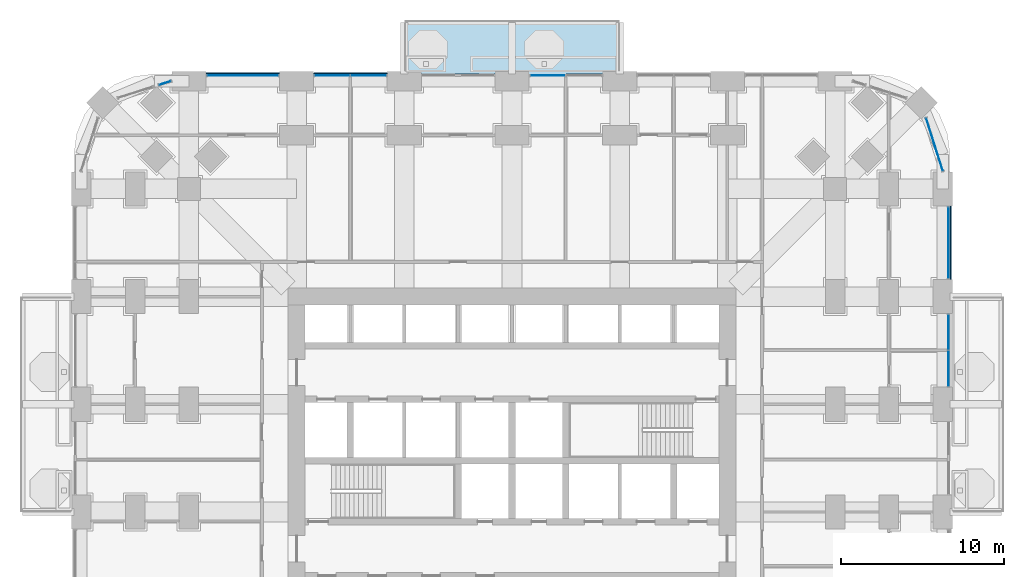
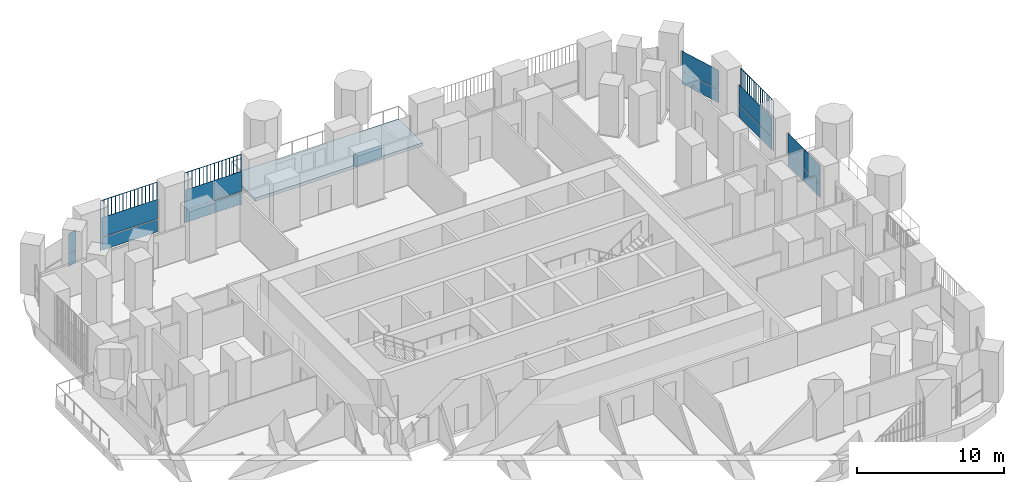
# One storey, part 15 of 26: 20 plates, 1 slab, 7 elements without a shape of their own.
"""IFC4 building model written with IfcOpenShell, lengths in metres."""

from ifc_helpers import new_model, si_unit, direction, frame, origin, origin_2d, place, context, subcontext, project, spatial, polyline, rectangle, outline, extrude, material, layer, layer_set, type_object, element, aggregate, save


model = new_model("IFC4")

# Units and contexts
model_context = context("Model", 3, precision=1e-05, world=origin(), true_north=direction((0.0, 1.0)))
body_context = subcontext(model_context, "Body", "Model", "MODEL_VIEW")
ifc_project = project(units=[si_unit("LENGTHUNIT", "METRE"), si_unit("AREAUNIT", "SQUARE_METRE"), si_unit("VOLUMEUNIT", "CUBIC_METRE"), si_unit("PLANEANGLEUNIT", "RADIAN"), si_unit("MASSUNIT", "GRAM", prefix="KILO")], contexts=[model_context])

# Site, building, storey
site_placement = place(None, origin())
site = spatial("IfcSite", under=ifc_project, at=site_placement, CompositionType="ELEMENT")
building_placement = place(site_placement, origin())
building = spatial("IfcBuilding", under=site, at=building_placement, Name="Cobogo Forest Laboratory Tower", CompositionType="ELEMENT")
storey_placement = place(building_placement, frame((0.0, 0.0, 50.699951171875)))
storey = spatial("IfcBuildingStorey", under=building, at=storey_placement, Name="L11", CompositionType="ELEMENT", Elevation=50.699951171875)

# Slab
ifc_material_1 = material(Name="Concrete HA-40 (C40/50)", Category="concrete")
ifc_layer_1 = layer(ifc_material_1, 0.25)
ifc_layer_set_1 = layer_set([ifc_layer_1], Name="Balcony slab 250")
slab_type = type_object("IfcSlabType", Name="Balcony slab 250", PredefinedType="FLOOR", material=ifc_layer_set_1)
slab_placement = place(storey_placement, frame((0.0, 0.0, -0.25)))
element("IfcSlab", 1, at=slab_placement, inside=storey, type_object=slab_type, Name="Balcony BAL-N1 L11", PredefinedType="FLOOR", context=body_context, shape_type="SweptSolid", body=[
    extrude(outline(polyline([(19.800048828125, 46.64990234375), (33.0, 46.64990234375), (33.0, 49.949951171875), (19.800048828125, 49.949951171875), (19.800048828125, 46.64990234375)])), origin(), (0.0, 0.0, 1.0), 0.25),
])

# Curtain wall, plates
ifc_material_2 = material(Name="Aluminium curtain wall", Category="aluminium")
curtain_wall_type = type_object("IfcCurtainWallType", Name="CW-1 unitised curtain wall, clear glazing, laboratory floors zones A and B", PredefinedType="USERDEFINED", material=ifc_material_2)
curtain_wall_1_placement = place(storey_placement, origin())
curtain_wall_1 = element("IfcCurtainWall", 2, at=curtain_wall_1_placement, inside=storey, type_object=curtain_wall_type, Name="Curtain wall 13 L11", ObjectType="UNITISED CURTAIN WALL", PredefinedType="USERDEFINED")
ifc_material_3 = material(Name="Clear insulated glass", Category="glass")
ifc_layer_2 = layer(ifc_material_3, 0.028076171875)
ifc_layer_set_2 = layer_set([ifc_layer_2], Name="GP-1 clear insulated glass unit 28")
plate_type_1 = type_object("IfcPlateType", Name="GP-1 clear insulated glass unit 28", PredefinedType="CURTAIN_PANEL", material=ifc_layer_set_2)
plate_1_placement = place(storey_placement, frame((53.14990234375, 28.590087890625, 0.0), z_axis=(0.0, 0.0, 1.0), x_axis=(0.0, 1.0, 0.0)))
plate_1 = element("IfcPlate", 3, at=plate_1_placement, type_object=plate_type_1, Name="CW-1 panel 1.1", PredefinedType="CURTAIN_PANEL", context=body_context, shape_type="SweptSolid", body=[
    extrude(rectangle(XDim=2.159912109375, YDim=0.028076171875, at=origin_2d()), origin(), (0.0, 0.0, 1.0), 1.02001953125),
])
plate_2_placement = place(storey_placement, frame((53.14990234375, 28.590087890625, 1.080078125), z_axis=(0.0, 0.0, 1.0), x_axis=(0.0, 1.0, 0.0)))
plate_2 = element("IfcPlate", 4, at=plate_2_placement, type_object=plate_type_1, Name="CW-1 panel 1.2", PredefinedType="CURTAIN_PANEL", context=body_context, shape_type="SweptSolid", body=[
    extrude(rectangle(XDim=2.159912109375, YDim=0.028076171875, at=origin_2d()), origin(), (0.0, 0.0, 1.0), 1.6201171875),
])
plate_3_placement = place(storey_placement, frame((53.14990234375, 30.81005859375, 0.0), z_axis=(0.0, 0.0, 1.0), x_axis=(0.0, 1.0, 0.0)))
plate_3 = element("IfcPlate", 5, at=plate_3_placement, type_object=plate_type_1, Name="CW-1 panel 2.1", PredefinedType="CURTAIN_PANEL", context=body_context, shape_type="SweptSolid", body=[
    extrude(rectangle(XDim=2.159912109375, YDim=0.028076171875, at=origin_2d()), origin(), (0.0, 0.0, 1.0), 1.02001953125),
])
plate_4_placement = place(storey_placement, frame((53.14990234375, 30.81005859375, 1.080078125), z_axis=(0.0, 0.0, 1.0), x_axis=(0.0, 1.0, 0.0)))
plate_4 = element("IfcPlate", 6, at=plate_4_placement, type_object=plate_type_1, Name="CW-1 panel 2.2", PredefinedType="CURTAIN_PANEL", context=body_context, shape_type="SweptSolid", body=[
    extrude(rectangle(XDim=2.159912109375, YDim=0.028076171875, at=origin_2d()), origin(), (0.0, 0.0, 1.0), 1.6201171875),
])
aggregate(curtain_wall_1, [plate_1, plate_2, plate_3, plate_4])

curtain_wall_2_placement = place(storey_placement, origin())
curtain_wall_2 = element("IfcCurtainWall", 7, at=curtain_wall_2_placement, inside=storey, type_object=curtain_wall_type, Name="Curtain wall 14 L11", ObjectType="UNITISED CURTAIN WALL", PredefinedType="USERDEFINED")
plate_5_placement = place(storey_placement, frame((53.14990234375, 36.300048828125, 0.0), z_axis=(0.0, 0.0, 1.0), x_axis=(0.0, 1.0, 0.0)))
plate_5 = element("IfcPlate", 8, at=plate_5_placement, type_object=plate_type_1, Name="CW-1 panel 1.1", PredefinedType="CURTAIN_PANEL", context=body_context, shape_type="SweptSolid", body=[
    extrude(rectangle(XDim=4.3798828125, YDim=0.028076171875, at=origin_2d()), origin(), (0.0, 0.0, 1.0), 1.02001953125),
])
plate_6_placement = place(storey_placement, frame((53.14990234375, 36.300048828125, 1.080078125), z_axis=(0.0, 0.0, 1.0), x_axis=(0.0, 1.0, 0.0)))
plate_6 = element("IfcPlate", 9, at=plate_6_placement, type_object=plate_type_1, Name="CW-1 panel 1.2", PredefinedType="CURTAIN_PANEL", context=body_context, shape_type="SweptSolid", body=[
    extrude(rectangle(XDim=4.3798828125, YDim=0.028076171875, at=origin_2d()), origin(), (0.0, 0.0, 1.0), 1.6201171875),
])
aggregate(curtain_wall_2, [plate_5, plate_6])

curtain_wall_3_placement = place(storey_placement, origin())
curtain_wall_3 = element("IfcCurtainWall", 10, at=curtain_wall_3_placement, inside=storey, type_object=curtain_wall_type, Name="Curtain wall 15 L11", ObjectType="UNITISED CURTAIN WALL", PredefinedType="USERDEFINED")
plate_7_placement = place(storey_placement, frame((52.291015625, 42.320068359375, 0.0), z_axis=(0.0, 0.0, 1.0), x_axis=(-0.30113535792, 0.95358140513, 0.0)))
plate_7 = element("IfcPlate", 11, at=plate_7_placement, type_object=plate_type_1, Name="CW-1 panel 1.1", PredefinedType="CURTAIN_PANEL", context=body_context, shape_type="SweptSolid", body=[
    extrude(rectangle(XDim=3.382568359375, YDim=0.028076171875, at=origin_2d()), origin(), (0.0, 0.0, 1.0), 1.02001953125),
])
plate_8_placement = place(storey_placement, frame((52.291015625, 42.320068359375, 1.080078125), z_axis=(0.0, 0.0, 1.0), x_axis=(-0.30113535792, 0.95358140513, 0.0)))
plate_8 = element("IfcPlate", 12, at=plate_8_placement, type_object=plate_type_1, Name="CW-1 panel 1.2", PredefinedType="CURTAIN_PANEL", context=body_context, shape_type="SweptSolid", body=[
    extrude(rectangle(XDim=3.382568359375, YDim=0.028076171875, at=origin_2d()), origin(), (0.0, 0.0, 1.0), 1.6201171875),
])
aggregate(curtain_wall_3, [plate_7, plate_8])

# Curtain wall, plate
curtain_wall_4_placement = place(storey_placement, origin())
curtain_wall_4 = element("IfcCurtainWall", 13, at=curtain_wall_4_placement, inside=storey, type_object=curtain_wall_type, Name="Curtain wall 20 L11", ObjectType="UNITISED CURTAIN WALL", PredefinedType="USERDEFINED")
plate_9_placement = place(storey_placement, frame((28.590087890625, 46.550048828125, 0.0), z_axis=(0.0, 0.0, 1.0), x_axis=(-1.0, 0.0, 0.0)))
plate_9 = element("IfcPlate", 14, at=plate_9_placement, type_object=plate_type_1, Name="CW-1 panel 2.1", PredefinedType="CURTAIN_PANEL", context=body_context, shape_type="SweptSolid", body=[
    extrude(rectangle(XDim=2.159912109375, YDim=0.028076171875, at=origin_2d()), origin(), (0.0, 0.0, 1.0), 1.02001953125),
])
aggregate(curtain_wall_4, [plate_9])

# Curtain wall, plates
curtain_wall_5_placement = place(storey_placement, origin())
curtain_wall_5 = element("IfcCurtainWall", 15, at=curtain_wall_5_placement, inside=storey, type_object=curtain_wall_type, Name="Curtain wall 22 L11", ObjectType="UNITISED CURTAIN WALL", PredefinedType="USERDEFINED")
plate_10_placement = place(storey_placement, frame((17.610107421875, 46.550048828125, 0.0), z_axis=(0.0, 0.0, 1.0), x_axis=(-1.0, 0.0, 0.0)))
plate_10 = element("IfcPlate", 16, at=plate_10_placement, type_object=plate_type_1, Name="CW-1 panel 1.1", PredefinedType="CURTAIN_PANEL", context=body_context, shape_type="SweptSolid", body=[
    extrude(rectangle(XDim=2.159912109375, YDim=0.028076171875, at=origin_2d()), origin(), (0.0, 0.0, 1.0), 1.02001953125),
])
plate_11_placement = place(storey_placement, frame((17.610107421875, 46.550048828125, 1.080078125), z_axis=(0.0, 0.0, 1.0), x_axis=(-1.0, 0.0, 0.0)))
plate_11 = element("IfcPlate", 17, at=plate_11_placement, type_object=plate_type_1, Name="CW-1 panel 1.2", PredefinedType="CURTAIN_PANEL", context=body_context, shape_type="SweptSolid", body=[
    extrude(rectangle(XDim=2.159912109375, YDim=0.028076171875, at=origin_2d()), origin(), (0.0, 0.0, 1.0), 1.6201171875),
])
plate_12_placement = place(storey_placement, frame((15.389892578125, 46.550048828125, 0.0), z_axis=(0.0, 0.0, 1.0), x_axis=(-1.0, 0.0, 0.0)))
plate_12 = element("IfcPlate", 18, at=plate_12_placement, type_object=plate_type_1, Name="CW-1 panel 2.1", PredefinedType="CURTAIN_PANEL", context=body_context, shape_type="SweptSolid", body=[
    extrude(rectangle(XDim=2.159912109375, YDim=0.028076171875, at=origin_2d()), origin(), (0.0, 0.0, 1.0), 1.02001953125),
])
plate_13_placement = place(storey_placement, frame((15.389892578125, 46.550048828125, 1.080078125), z_axis=(0.0, 0.0, 1.0), x_axis=(-1.0, 0.0, 0.0)))
plate_13 = element("IfcPlate", 19, at=plate_13_placement, type_object=plate_type_1, Name="CW-1 panel 2.2", PredefinedType="CURTAIN_PANEL", context=body_context, shape_type="SweptSolid", body=[
    extrude(rectangle(XDim=2.159912109375, YDim=0.028076171875, at=origin_2d()), origin(), (0.0, 0.0, 1.0), 1.6201171875),
])
aggregate(curtain_wall_5, [plate_10, plate_11, plate_12, plate_13])

curtain_wall_6_placement = place(storey_placement, origin())
curtain_wall_6 = element("IfcCurtainWall", 20, at=curtain_wall_6_placement, inside=storey, type_object=curtain_wall_type, Name="Curtain wall 23 L11", ObjectType="UNITISED CURTAIN WALL", PredefinedType="USERDEFINED")
plate_14_placement = place(storey_placement, frame((9.89990234375, 46.550048828125, 0.0), z_axis=(0.0, 0.0, 1.0), x_axis=(-1.0, 0.0, 0.0)))
plate_14 = element("IfcPlate", 21, at=plate_14_placement, type_object=plate_type_1, Name="CW-1 panel 1.1", PredefinedType="CURTAIN_PANEL", context=body_context, shape_type="SweptSolid", body=[
    extrude(rectangle(XDim=4.3798828125, YDim=0.028076171875, at=origin_2d()), origin(), (0.0, 0.0, 1.0), 1.02001953125),
])
plate_15_placement = place(storey_placement, frame((9.89990234375, 46.550048828125, 1.080078125), z_axis=(0.0, 0.0, 1.0), x_axis=(-1.0, 0.0, 0.0)))
plate_15 = element("IfcPlate", 22, at=plate_15_placement, type_object=plate_type_1, Name="CW-1 panel 1.2", PredefinedType="CURTAIN_PANEL", context=body_context, shape_type="SweptSolid", body=[
    extrude(rectangle(XDim=4.3798828125, YDim=0.028076171875, at=origin_2d()), origin(), (0.0, 0.0, 1.0), 1.6201171875),
])
aggregate(curtain_wall_6, [plate_14, plate_15])

curtain_wall_7_placement = place(storey_placement, origin())
curtain_wall_7 = element("IfcCurtainWall", 23, at=curtain_wall_7_placement, inside=storey, type_object=curtain_wall_type, Name="Curtain wall 24 L11", ObjectType="UNITISED CURTAIN WALL", PredefinedType="USERDEFINED")
plate_16_placement = place(storey_placement, frame((5.134033203125, 46.087158203125, 0.0), z_axis=(0.0, 0.0, 1.0), x_axis=(-0.953581504428, -0.301135043481, 0.0)))
plate_16 = element("IfcPlate", 24, at=plate_16_placement, type_object=plate_type_1, Name="CW-1 panel 1.1", PredefinedType="CURTAIN_PANEL", context=body_context, shape_type="SweptSolid", body=[
    extrude(rectangle(XDim=0.75244140625, YDim=0.028076171875, at=origin_2d()), origin(), (0.0, 0.0, 1.0), 1.02001953125),
])
plate_17_placement = place(storey_placement, frame((5.134033203125, 46.087158203125, 1.080078125), z_axis=(0.0, 0.0, 1.0), x_axis=(-0.953581504428, -0.301135043481, 0.0)))
plate_17 = element("IfcPlate", 25, at=plate_17_placement, type_object=plate_type_1, Name="CW-1 panel 1.2", PredefinedType="CURTAIN_PANEL", context=body_context, shape_type="SweptSolid", body=[
    extrude(rectangle(XDim=0.75244140625, YDim=0.028076171875, at=origin_2d()), origin(), (0.0, 0.0, 1.0), 1.6201171875),
])
aggregate(curtain_wall_7, [plate_16, plate_17])

# Plates
ifc_material_4 = material(Name="Terracotta", Category="masonry")
plate_type_2 = type_object("IfcPlateType", Name="TB1 terracotta baguette screen", PredefinedType="USERDEFINED", material=ifc_material_4)
plate_18_placement = place(storey_placement, frame((53.27783203125, 34.081298828125, -0.14990234375)))
element("IfcPlate", 26, at=plate_18_placement, inside=storey, type_object=plate_type_2, Name="Baguette screen E5 L11", ObjectType="BAGUETTE SCREEN", PredefinedType="USERDEFINED", context=body_context, shape_type="SweptSolid", body=[
    extrude(outline(polyline([(0.02880859375, 0.011962890625), (0.011962890625, 0.02880859375), (-0.011962890625, 0.02880859375), (-0.02880859375, 0.011962890625), (-0.02880859375, -0.011962890625), (-0.011962890625, -0.02880859375), (0.011962890625, -0.02880859375), (0.02880859375, -0.011962890625), (0.02880859375, 0.011962890625)])), frame((0.0, 0.0, 4.168701171875), z_axis=(0.0, 1.0, 0.0), x_axis=(-1.0, 0.0, 0.0)), (0.0, 0.0, 1.0), 4.4375),
    extrude(outline(polyline([(0.02880859375, 0.011962890625), (0.011962890625, 0.02880859375), (-0.011962890625, 0.02880859375), (-0.02880859375, 0.011962890625), (-0.02880859375, -0.011962890625), (-0.011962890625, -0.02880859375), (0.011962890625, -0.02880859375), (0.02880859375, -0.011962890625), (0.02880859375, 0.011962890625)])), origin(), (0.0, 0.0, 1.0), 4.137451171875),
    extrude(outline(polyline([(0.02880859375, 0.011962890625), (0.011962890625, 0.02880859375), (-0.011962890625, 0.02880859375), (-0.02880859375, 0.011962890625), (-0.02880859375, -0.011962890625), (-0.011962890625, -0.02880859375), (0.011962890625, -0.02880859375), (0.02880859375, -0.011962890625), (0.02880859375, 0.011962890625)])), frame((0.0, 0.2958984375, 0.0)), (0.0, 0.0, 1.0), 4.137451171875),
    extrude(outline(polyline([(0.02880859375, 0.011962890625), (0.011962890625, 0.02880859375), (-0.011962890625, 0.02880859375), (-0.02880859375, 0.011962890625), (-0.02880859375, -0.011962890625), (-0.011962890625, -0.02880859375), (0.011962890625, -0.02880859375), (0.02880859375, -0.011962890625), (0.02880859375, 0.011962890625)])), frame((0.0, 0.591552734375, 0.0)), (0.0, 0.0, 1.0), 4.137451171875),
    extrude(outline(polyline([(0.02880859375, 0.011962890625), (0.011962890625, 0.02880859375), (-0.011962890625, 0.02880859375), (-0.02880859375, 0.011962890625), (-0.02880859375, -0.011962890625), (-0.011962890625, -0.02880859375), (0.011962890625, -0.02880859375), (0.02880859375, -0.011962890625), (0.02880859375, 0.011962890625)])), frame((0.0, 0.887451171875, 0.0)), (0.0, 0.0, 1.0), 4.137451171875),
    extrude(outline(polyline([(0.02880859375, 0.011962890625), (0.011962890625, 0.02880859375), (-0.011962890625, 0.02880859375), (-0.02880859375, 0.011962890625), (-0.02880859375, -0.011962890625), (-0.011962890625, -0.02880859375), (0.011962890625, -0.02880859375), (0.02880859375, -0.011962890625), (0.02880859375, 0.011962890625)])), frame((0.0, 1.183349609375, 0.0)), (0.0, 0.0, 1.0), 4.137451171875),
    extrude(outline(polyline([(0.02880859375, 0.011962890625), (0.011962890625, 0.02880859375), (-0.011962890625, 0.02880859375), (-0.02880859375, 0.011962890625), (-0.02880859375, -0.011962890625), (-0.011962890625, -0.02880859375), (0.011962890625, -0.02880859375), (0.02880859375, -0.011962890625), (0.02880859375, 0.011962890625)])), frame((0.0, 1.479248046875, 0.0)), (0.0, 0.0, 1.0), 4.137451171875),
    extrude(outline(polyline([(0.02880859375, 0.011962890625), (0.011962890625, 0.02880859375), (-0.011962890625, 0.02880859375), (-0.02880859375, 0.011962890625), (-0.02880859375, -0.011962890625), (-0.011962890625, -0.02880859375), (0.011962890625, -0.02880859375), (0.02880859375, -0.011962890625), (0.02880859375, 0.011962890625)])), frame((0.0, 1.77490234375, 0.0)), (0.0, 0.0, 1.0), 4.137451171875),
    extrude(outline(polyline([(0.02880859375, 0.011962890625), (0.011962890625, 0.02880859375), (-0.011962890625, 0.02880859375), (-0.02880859375, 0.011962890625), (-0.02880859375, -0.011962890625), (-0.011962890625, -0.02880859375), (0.011962890625, -0.02880859375), (0.02880859375, -0.011962890625), (0.02880859375, 0.011962890625)])), frame((0.0, 2.07080078125, 0.0)), (0.0, 0.0, 1.0), 4.137451171875),
    extrude(outline(polyline([(0.02880859375, 0.011962890625), (0.011962890625, 0.02880859375), (-0.011962890625, 0.02880859375), (-0.02880859375, 0.011962890625), (-0.02880859375, -0.011962890625), (-0.011962890625, -0.02880859375), (0.011962890625, -0.02880859375), (0.02880859375, -0.011962890625), (0.02880859375, 0.011962890625)])), frame((0.0, 2.36669921875, 0.0)), (0.0, 0.0, 1.0), 4.137451171875),
    extrude(outline(polyline([(0.02880859375, 0.011962890625), (0.011962890625, 0.02880859375), (-0.011962890625, 0.02880859375), (-0.02880859375, 0.011962890625), (-0.02880859375, -0.011962890625), (-0.011962890625, -0.02880859375), (0.011962890625, -0.02880859375), (0.02880859375, -0.011962890625), (0.02880859375, 0.011962890625)])), frame((0.0, 2.66259765625, 0.0)), (0.0, 0.0, 1.0), 4.137451171875),
    extrude(outline(polyline([(0.02880859375, 0.011962890625), (0.011962890625, 0.02880859375), (-0.011962890625, 0.02880859375), (-0.02880859375, 0.011962890625), (-0.02880859375, -0.011962890625), (-0.011962890625, -0.02880859375), (0.011962890625, -0.02880859375), (0.02880859375, -0.011962890625), (0.02880859375, 0.011962890625)])), frame((0.0, 2.958251953125, 0.0)), (0.0, 0.0, 1.0), 4.137451171875),
    extrude(outline(polyline([(0.02880859375, 0.011962890625), (0.011962890625, 0.02880859375), (-0.011962890625, 0.02880859375), (-0.02880859375, 0.011962890625), (-0.02880859375, -0.011962890625), (-0.011962890625, -0.02880859375), (0.011962890625, -0.02880859375), (0.02880859375, -0.011962890625), (0.02880859375, 0.011962890625)])), frame((0.0, 3.254150390625, 0.0)), (0.0, 0.0, 1.0), 4.137451171875),
    extrude(outline(polyline([(0.02880859375, 0.011962890625), (0.011962890625, 0.02880859375), (-0.011962890625, 0.02880859375), (-0.02880859375, 0.011962890625), (-0.02880859375, -0.011962890625), (-0.011962890625, -0.02880859375), (0.011962890625, -0.02880859375), (0.02880859375, -0.011962890625), (0.02880859375, 0.011962890625)])), frame((0.0, 3.550048828125, 0.0)), (0.0, 0.0, 1.0), 4.137451171875),
    extrude(outline(polyline([(0.02880859375, 0.011962890625), (0.011962890625, 0.02880859375), (-0.011962890625, 0.02880859375), (-0.02880859375, 0.011962890625), (-0.02880859375, -0.011962890625), (-0.011962890625, -0.02880859375), (0.011962890625, -0.02880859375), (0.02880859375, -0.011962890625), (0.02880859375, 0.011962890625)])), frame((0.0, 3.845947265625, 0.0)), (0.0, 0.0, 1.0), 4.137451171875),
    extrude(outline(polyline([(0.02880859375, 0.011962890625), (0.011962890625, 0.02880859375), (-0.011962890625, 0.02880859375), (-0.02880859375, 0.011962890625), (-0.02880859375, -0.011962890625), (-0.011962890625, -0.02880859375), (0.011962890625, -0.02880859375), (0.02880859375, -0.011962890625), (0.02880859375, 0.011962890625)])), frame((0.0, 4.1416015625, 0.0)), (0.0, 0.0, 1.0), 4.137451171875),
    extrude(outline(polyline([(0.02880859375, 0.011962890625), (0.011962890625, 0.02880859375), (-0.011962890625, 0.02880859375), (-0.02880859375, 0.011962890625), (-0.02880859375, -0.011962890625), (-0.011962890625, -0.02880859375), (0.011962890625, -0.02880859375), (0.02880859375, -0.011962890625), (0.02880859375, 0.011962890625)])), frame((0.0, 4.4375, 0.0)), (0.0, 0.0, 1.0), 4.137451171875),
])
plate_19_placement = place(storey_placement, frame((7.68115234375, 46.677978515625, -0.14990234375)))
element("IfcPlate", 27, at=plate_19_placement, inside=storey, type_object=plate_type_2, Name="Baguette screen N1 L11", ObjectType="BAGUETTE SCREEN", PredefinedType="USERDEFINED", context=body_context, shape_type="SweptSolid", body=[
    extrude(outline(polyline([(0.02880859375, 0.011962890625), (0.011962890625, 0.02880859375), (-0.011962890625, 0.02880859375), (-0.02880859375, 0.011962890625), (-0.02880859375, -0.011962890625), (-0.011962890625, -0.02880859375), (0.011962890625, -0.02880859375), (0.02880859375, -0.011962890625), (0.02880859375, 0.011962890625)])), frame((0.0, 0.0, 4.168701171875), z_axis=(1.0, 0.0, 0.0), x_axis=(0.0, 1.0, 0.0)), (0.0, 0.0, 1.0), 4.4375),
    extrude(outline(polyline([(0.02880859375, 0.011962890625), (0.011962890625, 0.02880859375), (-0.011962890625, 0.02880859375), (-0.02880859375, 0.011962890625), (-0.02880859375, -0.011962890625), (-0.011962890625, -0.02880859375), (0.011962890625, -0.02880859375), (0.02880859375, -0.011962890625), (0.02880859375, 0.011962890625)])), origin(), (0.0, 0.0, 1.0), 4.137451171875),
    extrude(outline(polyline([(0.02880859375, 0.011962890625), (0.011962890625, 0.02880859375), (-0.011962890625, 0.02880859375), (-0.02880859375, 0.011962890625), (-0.02880859375, -0.011962890625), (-0.011962890625, -0.02880859375), (0.011962890625, -0.02880859375), (0.02880859375, -0.011962890625), (0.02880859375, 0.011962890625)])), frame((0.2958984375, 0.0, 0.0)), (0.0, 0.0, 1.0), 4.137451171875),
    extrude(outline(polyline([(0.02880859375, 0.011962890625), (0.011962890625, 0.02880859375), (-0.011962890625, 0.02880859375), (-0.02880859375, 0.011962890625), (-0.02880859375, -0.011962890625), (-0.011962890625, -0.02880859375), (0.011962890625, -0.02880859375), (0.02880859375, -0.011962890625), (0.02880859375, 0.011962890625)])), frame((0.591552734375, 0.0, 0.0)), (0.0, 0.0, 1.0), 4.137451171875),
    extrude(outline(polyline([(0.02880859375, 0.011962890625), (0.011962890625, 0.02880859375), (-0.011962890625, 0.02880859375), (-0.02880859375, 0.011962890625), (-0.02880859375, -0.011962890625), (-0.011962890625, -0.02880859375), (0.011962890625, -0.02880859375), (0.02880859375, -0.011962890625), (0.02880859375, 0.011962890625)])), frame((0.887451171875, 0.0, 0.0)), (0.0, 0.0, 1.0), 4.137451171875),
    extrude(outline(polyline([(0.02880859375, 0.011962890625), (0.011962890625, 0.02880859375), (-0.011962890625, 0.02880859375), (-0.02880859375, 0.011962890625), (-0.02880859375, -0.011962890625), (-0.011962890625, -0.02880859375), (0.011962890625, -0.02880859375), (0.02880859375, -0.011962890625), (0.02880859375, 0.011962890625)])), frame((1.183349609375, 0.0, 0.0)), (0.0, 0.0, 1.0), 4.137451171875),
    extrude(outline(polyline([(0.02880859375, 0.011962890625), (0.011962890625, 0.02880859375), (-0.011962890625, 0.02880859375), (-0.02880859375, 0.011962890625), (-0.02880859375, -0.011962890625), (-0.011962890625, -0.02880859375), (0.011962890625, -0.02880859375), (0.02880859375, -0.011962890625), (0.02880859375, 0.011962890625)])), frame((1.479248046875, 0.0, 0.0)), (0.0, 0.0, 1.0), 4.137451171875),
    extrude(outline(polyline([(0.02880859375, 0.011962890625), (0.011962890625, 0.02880859375), (-0.011962890625, 0.02880859375), (-0.02880859375, 0.011962890625), (-0.02880859375, -0.011962890625), (-0.011962890625, -0.02880859375), (0.011962890625, -0.02880859375), (0.02880859375, -0.011962890625), (0.02880859375, 0.011962890625)])), frame((1.77490234375, 0.0, 0.0)), (0.0, 0.0, 1.0), 4.137451171875),
    extrude(outline(polyline([(0.02880859375, 0.011962890625), (0.011962890625, 0.02880859375), (-0.011962890625, 0.02880859375), (-0.02880859375, 0.011962890625), (-0.02880859375, -0.011962890625), (-0.011962890625, -0.02880859375), (0.011962890625, -0.02880859375), (0.02880859375, -0.011962890625), (0.02880859375, 0.011962890625)])), frame((2.07080078125, 0.0, 0.0)), (0.0, 0.0, 1.0), 4.137451171875),
    extrude(outline(polyline([(0.02880859375, 0.011962890625), (0.011962890625, 0.02880859375), (-0.011962890625, 0.02880859375), (-0.02880859375, 0.011962890625), (-0.02880859375, -0.011962890625), (-0.011962890625, -0.02880859375), (0.011962890625, -0.02880859375), (0.02880859375, -0.011962890625), (0.02880859375, 0.011962890625)])), frame((2.36669921875, 0.0, 0.0)), (0.0, 0.0, 1.0), 4.137451171875),
    extrude(outline(polyline([(0.02880859375, 0.011962890625), (0.011962890625, 0.02880859375), (-0.011962890625, 0.02880859375), (-0.02880859375, 0.011962890625), (-0.02880859375, -0.011962890625), (-0.011962890625, -0.02880859375), (0.011962890625, -0.02880859375), (0.02880859375, -0.011962890625), (0.02880859375, 0.011962890625)])), frame((2.66259765625, 0.0, 0.0)), (0.0, 0.0, 1.0), 4.137451171875),
    extrude(outline(polyline([(0.02880859375, 0.011962890625), (0.011962890625, 0.02880859375), (-0.011962890625, 0.02880859375), (-0.02880859375, 0.011962890625), (-0.02880859375, -0.011962890625), (-0.011962890625, -0.02880859375), (0.011962890625, -0.02880859375), (0.02880859375, -0.011962890625), (0.02880859375, 0.011962890625)])), frame((2.958251953125, 0.0, 0.0)), (0.0, 0.0, 1.0), 4.137451171875),
    extrude(outline(polyline([(0.02880859375, 0.011962890625), (0.011962890625, 0.02880859375), (-0.011962890625, 0.02880859375), (-0.02880859375, 0.011962890625), (-0.02880859375, -0.011962890625), (-0.011962890625, -0.02880859375), (0.011962890625, -0.02880859375), (0.02880859375, -0.011962890625), (0.02880859375, 0.011962890625)])), frame((3.254150390625, 0.0, 0.0)), (0.0, 0.0, 1.0), 4.137451171875),
    extrude(outline(polyline([(0.02880859375, 0.011962890625), (0.011962890625, 0.02880859375), (-0.011962890625, 0.02880859375), (-0.02880859375, 0.011962890625), (-0.02880859375, -0.011962890625), (-0.011962890625, -0.02880859375), (0.011962890625, -0.02880859375), (0.02880859375, -0.011962890625), (0.02880859375, 0.011962890625)])), frame((3.550048828125, 0.0, 0.0)), (0.0, 0.0, 1.0), 4.137451171875),
    extrude(outline(polyline([(0.02880859375, 0.011962890625), (0.011962890625, 0.02880859375), (-0.011962890625, 0.02880859375), (-0.02880859375, 0.011962890625), (-0.02880859375, -0.011962890625), (-0.011962890625, -0.02880859375), (0.011962890625, -0.02880859375), (0.02880859375, -0.011962890625), (0.02880859375, 0.011962890625)])), frame((3.845947265625, 0.0, 0.0)), (0.0, 0.0, 1.0), 4.137451171875),
    extrude(outline(polyline([(0.02880859375, 0.011962890625), (0.011962890625, 0.02880859375), (-0.011962890625, 0.02880859375), (-0.02880859375, 0.011962890625), (-0.02880859375, -0.011962890625), (-0.011962890625, -0.02880859375), (0.011962890625, -0.02880859375), (0.02880859375, -0.011962890625), (0.02880859375, 0.011962890625)])), frame((4.1416015625, 0.0, 0.0)), (0.0, 0.0, 1.0), 4.137451171875),
    extrude(outline(polyline([(0.02880859375, 0.011962890625), (0.011962890625, 0.02880859375), (-0.011962890625, 0.02880859375), (-0.02880859375, 0.011962890625), (-0.02880859375, -0.011962890625), (-0.011962890625, -0.02880859375), (0.011962890625, -0.02880859375), (0.02880859375, -0.011962890625), (0.02880859375, 0.011962890625)])), frame((4.4375, 0.0, 0.0)), (0.0, 0.0, 1.0), 4.137451171875),
])
plate_20_placement = place(storey_placement, frame((14.28125, 46.677978515625, -0.14990234375)))
element("IfcPlate", 28, at=plate_20_placement, inside=storey, type_object=plate_type_2, Name="Baguette screen N2 L11", ObjectType="BAGUETTE SCREEN", PredefinedType="USERDEFINED", context=body_context, shape_type="SweptSolid", body=[
    extrude(outline(polyline([(0.02880859375, 0.011962890625), (0.011962890625, 0.02880859375), (-0.011962890625, 0.02880859375), (-0.02880859375, 0.011962890625), (-0.02880859375, -0.011962890625), (-0.011962890625, -0.02880859375), (0.011962890625, -0.02880859375), (0.02880859375, -0.011962890625), (0.02880859375, 0.011962890625)])), frame((0.0, 0.0, 4.168701171875), z_axis=(1.0, 0.0, 0.0), x_axis=(0.0, 1.0, 0.0)), (0.0, 0.0, 1.0), 4.4375),
    extrude(outline(polyline([(0.02880859375, 0.011962890625), (0.011962890625, 0.02880859375), (-0.011962890625, 0.02880859375), (-0.02880859375, 0.011962890625), (-0.02880859375, -0.011962890625), (-0.011962890625, -0.02880859375), (0.011962890625, -0.02880859375), (0.02880859375, -0.011962890625), (0.02880859375, 0.011962890625)])), origin(), (0.0, 0.0, 1.0), 4.137451171875),
    extrude(outline(polyline([(0.02880859375, 0.011962890625), (0.011962890625, 0.02880859375), (-0.011962890625, 0.02880859375), (-0.02880859375, 0.011962890625), (-0.02880859375, -0.011962890625), (-0.011962890625, -0.02880859375), (0.011962890625, -0.02880859375), (0.02880859375, -0.011962890625), (0.02880859375, 0.011962890625)])), frame((0.2958984375, 0.0, 0.0)), (0.0, 0.0, 1.0), 4.137451171875),
    extrude(outline(polyline([(0.02880859375, 0.011962890625), (0.011962890625, 0.02880859375), (-0.011962890625, 0.02880859375), (-0.02880859375, 0.011962890625), (-0.02880859375, -0.011962890625), (-0.011962890625, -0.02880859375), (0.011962890625, -0.02880859375), (0.02880859375, -0.011962890625), (0.02880859375, 0.011962890625)])), frame((0.591552734375, 0.0, 0.0)), (0.0, 0.0, 1.0), 4.137451171875),
    extrude(outline(polyline([(0.02880859375, 0.011962890625), (0.011962890625, 0.02880859375), (-0.011962890625, 0.02880859375), (-0.02880859375, 0.011962890625), (-0.02880859375, -0.011962890625), (-0.011962890625, -0.02880859375), (0.011962890625, -0.02880859375), (0.02880859375, -0.011962890625), (0.02880859375, 0.011962890625)])), frame((0.887451171875, 0.0, 0.0)), (0.0, 0.0, 1.0), 4.137451171875),
    extrude(outline(polyline([(0.02880859375, 0.011962890625), (0.011962890625, 0.02880859375), (-0.011962890625, 0.02880859375), (-0.02880859375, 0.011962890625), (-0.02880859375, -0.011962890625), (-0.011962890625, -0.02880859375), (0.011962890625, -0.02880859375), (0.02880859375, -0.011962890625), (0.02880859375, 0.011962890625)])), frame((1.183349609375, 0.0, 0.0)), (0.0, 0.0, 1.0), 4.137451171875),
    extrude(outline(polyline([(0.02880859375, 0.011962890625), (0.011962890625, 0.02880859375), (-0.011962890625, 0.02880859375), (-0.02880859375, 0.011962890625), (-0.02880859375, -0.011962890625), (-0.011962890625, -0.02880859375), (0.011962890625, -0.02880859375), (0.02880859375, -0.011962890625), (0.02880859375, 0.011962890625)])), frame((1.479248046875, 0.0, 0.0)), (0.0, 0.0, 1.0), 4.137451171875),
    extrude(outline(polyline([(0.02880859375, 0.011962890625), (0.011962890625, 0.02880859375), (-0.011962890625, 0.02880859375), (-0.02880859375, 0.011962890625), (-0.02880859375, -0.011962890625), (-0.011962890625, -0.02880859375), (0.011962890625, -0.02880859375), (0.02880859375, -0.011962890625), (0.02880859375, 0.011962890625)])), frame((1.77490234375, 0.0, 0.0)), (0.0, 0.0, 1.0), 4.137451171875),
    extrude(outline(polyline([(0.02880859375, 0.011962890625), (0.011962890625, 0.02880859375), (-0.011962890625, 0.02880859375), (-0.02880859375, 0.011962890625), (-0.02880859375, -0.011962890625), (-0.011962890625, -0.02880859375), (0.011962890625, -0.02880859375), (0.02880859375, -0.011962890625), (0.02880859375, 0.011962890625)])), frame((2.07080078125, 0.0, 0.0)), (0.0, 0.0, 1.0), 4.137451171875),
    extrude(outline(polyline([(0.02880859375, 0.011962890625), (0.011962890625, 0.02880859375), (-0.011962890625, 0.02880859375), (-0.02880859375, 0.011962890625), (-0.02880859375, -0.011962890625), (-0.011962890625, -0.02880859375), (0.011962890625, -0.02880859375), (0.02880859375, -0.011962890625), (0.02880859375, 0.011962890625)])), frame((2.36669921875, 0.0, 0.0)), (0.0, 0.0, 1.0), 4.137451171875),
    extrude(outline(polyline([(0.02880859375, 0.011962890625), (0.011962890625, 0.02880859375), (-0.011962890625, 0.02880859375), (-0.02880859375, 0.011962890625), (-0.02880859375, -0.011962890625), (-0.011962890625, -0.02880859375), (0.011962890625, -0.02880859375), (0.02880859375, -0.011962890625), (0.02880859375, 0.011962890625)])), frame((2.66259765625, 0.0, 0.0)), (0.0, 0.0, 1.0), 4.137451171875),
    extrude(outline(polyline([(0.02880859375, 0.011962890625), (0.011962890625, 0.02880859375), (-0.011962890625, 0.02880859375), (-0.02880859375, 0.011962890625), (-0.02880859375, -0.011962890625), (-0.011962890625, -0.02880859375), (0.011962890625, -0.02880859375), (0.02880859375, -0.011962890625), (0.02880859375, 0.011962890625)])), frame((2.958251953125, 0.0, 0.0)), (0.0, 0.0, 1.0), 4.137451171875),
    extrude(outline(polyline([(0.02880859375, 0.011962890625), (0.011962890625, 0.02880859375), (-0.011962890625, 0.02880859375), (-0.02880859375, 0.011962890625), (-0.02880859375, -0.011962890625), (-0.011962890625, -0.02880859375), (0.011962890625, -0.02880859375), (0.02880859375, -0.011962890625), (0.02880859375, 0.011962890625)])), frame((3.254150390625, 0.0, 0.0)), (0.0, 0.0, 1.0), 4.137451171875),
    extrude(outline(polyline([(0.02880859375, 0.011962890625), (0.011962890625, 0.02880859375), (-0.011962890625, 0.02880859375), (-0.02880859375, 0.011962890625), (-0.02880859375, -0.011962890625), (-0.011962890625, -0.02880859375), (0.011962890625, -0.02880859375), (0.02880859375, -0.011962890625), (0.02880859375, 0.011962890625)])), frame((3.550048828125, 0.0, 0.0)), (0.0, 0.0, 1.0), 4.137451171875),
    extrude(outline(polyline([(0.02880859375, 0.011962890625), (0.011962890625, 0.02880859375), (-0.011962890625, 0.02880859375), (-0.02880859375, 0.011962890625), (-0.02880859375, -0.011962890625), (-0.011962890625, -0.02880859375), (0.011962890625, -0.02880859375), (0.02880859375, -0.011962890625), (0.02880859375, 0.011962890625)])), frame((3.845947265625, 0.0, 0.0)), (0.0, 0.0, 1.0), 4.137451171875),
    extrude(outline(polyline([(0.02880859375, 0.011962890625), (0.011962890625, 0.02880859375), (-0.011962890625, 0.02880859375), (-0.02880859375, 0.011962890625), (-0.02880859375, -0.011962890625), (-0.011962890625, -0.02880859375), (0.011962890625, -0.02880859375), (0.02880859375, -0.011962890625), (0.02880859375, 0.011962890625)])), frame((4.1416015625, 0.0, 0.0)), (0.0, 0.0, 1.0), 4.137451171875),
    extrude(outline(polyline([(0.02880859375, 0.011962890625), (0.011962890625, 0.02880859375), (-0.011962890625, 0.02880859375), (-0.02880859375, 0.011962890625), (-0.02880859375, -0.011962890625), (-0.011962890625, -0.02880859375), (0.011962890625, -0.02880859375), (0.02880859375, -0.011962890625), (0.02880859375, 0.011962890625)])), frame((4.4375, 0.0, 0.0)), (0.0, 0.0, 1.0), 4.137451171875),
])

save(model, "model.ifc")
